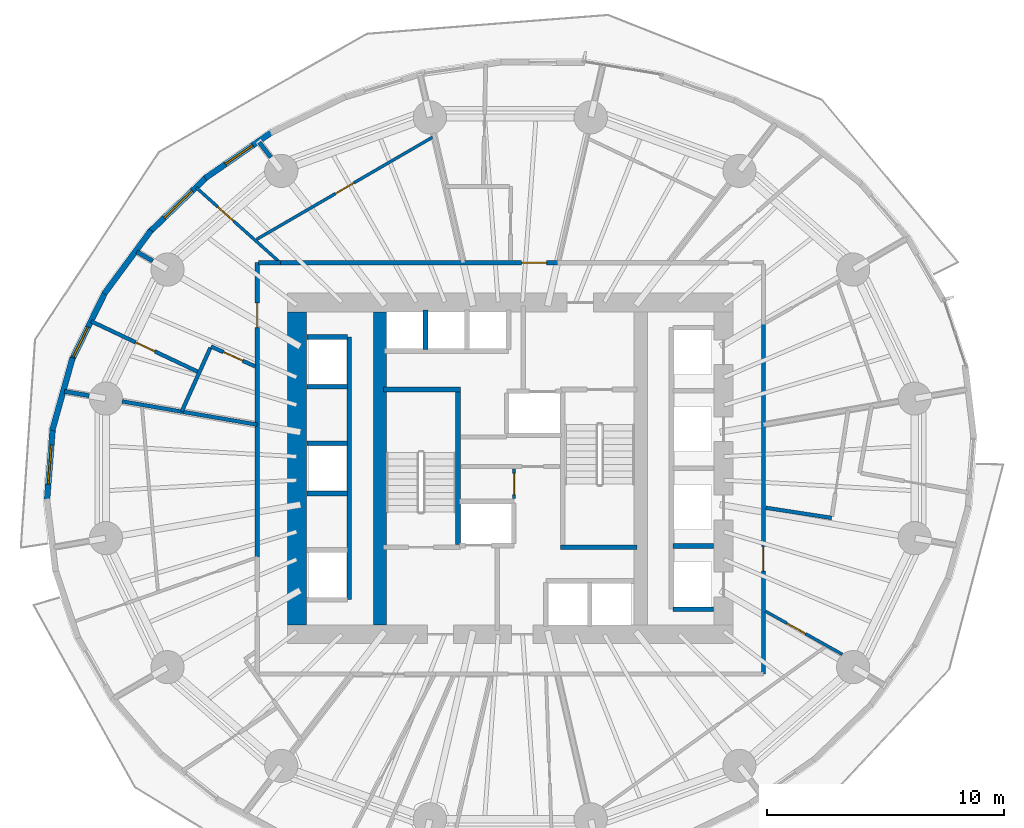
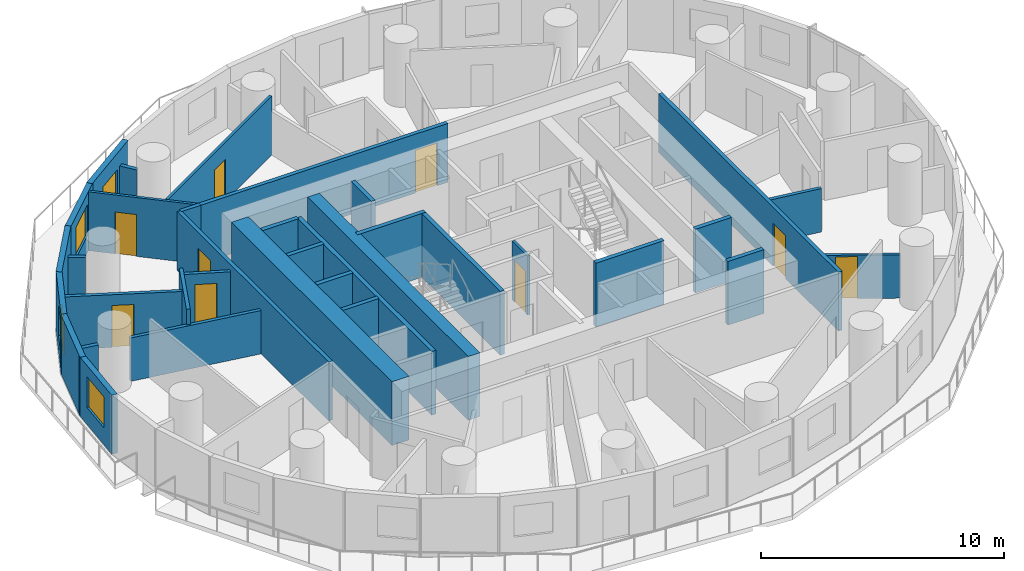
# One storey, part 6 of 13: 35 walls, 9 doors, 4 windows, 13 openings.
"""IFC4 building model written with IfcOpenShell, lengths in metres."""

from ifc_helpers import new_model, si_unit, direction, frame, frame_2d, origin, place, context, subcontext, project, spatial, rectangle, extrude, material, layer, layer_set, type_object, element, fill, save


model = new_model("IFC4")

# Units and contexts
model_context = context("Model", 3, precision=1e-05, world=origin(), true_north=direction((0.0, 1.0)))
body_context = subcontext(model_context, "Body", "Model", "MODEL_VIEW")
ifc_project = project(units=[si_unit("LENGTHUNIT", "METRE"), si_unit("AREAUNIT", "SQUARE_METRE"), si_unit("VOLUMEUNIT", "CUBIC_METRE"), si_unit("PLANEANGLEUNIT", "RADIAN"), si_unit("MASSUNIT", "GRAM", prefix="KILO")], contexts=[model_context])

# Site, building, storey
site_placement = place(None, origin())
site = spatial("IfcSite", under=ifc_project, at=site_placement, CompositionType="ELEMENT")
building_placement = place(site_placement, origin())
building = spatial("IfcBuilding", under=site, at=building_placement, Name="Veldorim Arch Residences", CompositionType="ELEMENT")
storey_placement = place(building_placement, frame((0.0, 0.0, 56.800048828125)))
storey = spatial("IfcBuildingStorey", under=building, at=storey_placement, Name="L16", CompositionType="ELEMENT", Elevation=56.800048828125)

# Wall, opening, door
ifc_material_1 = material(Name="Acoustic Gypsum Board", Category="gypsum")
ifc_layer_1 = layer(ifc_material_1, 0.125, Name="Acoustic Stud Room Partition Wall 125")
ifc_layer_set_1 = layer_set([ifc_layer_1], Name="Acoustic Gypsum Board")
wall_type_1 = type_object("IfcWallType", Name="Acoustic Stud Room Partition Wall 125", PredefinedType="PARTITIONING", material=ifc_layer_set_1)
wall_1_placement = place(storey_placement, frame((32.159912109375, 22.719970703125, 0.0), z_axis=(0.0, 0.0, 1.0), x_axis=(0.0, 1.0, 0.0)))
wall_1 = element("IfcWall", 1, at=wall_1_placement, inside=storey, type_object=wall_type_1, Name="L16 interior wall WL-CA-L16-2", PredefinedType="PARTITIONING", context=body_context, shape_type="SweptSolid", body=[
    extrude(rectangle(XDim=1.25, YDim=0.125, at=frame_2d((0.625, 0.0))), origin(), (0.0, 0.0, 1.0), 2.954833984375),
])
opening_1_placement = place(wall_1_placement, frame((0.169921875, 0.0, 0.0)))
opening_1 = element("IfcOpeningElement", 2, at=opening_1_placement, cuts=wall_1, Name="Opening DR-SVC", PredefinedType="OPENING", context=body_context, shape_type="SweptSolid", body=[
    extrude(rectangle(XDim=0.89990234375, YDim=2.10009765625, at=frame_2d((0.449951171875, 1.050048828125))), frame((0.0, 0.072509765625, 0.0), z_axis=(0.0, -1.0, 0.0), x_axis=(1.0, 0.0, 0.0)), (0.0, 0.0, 1.0), 0.14501953125),
])
ifc_material_2 = material(Name="Fire-Rated Steel", Category="steel")
door_type_1 = type_object("IfcDoorType", Name="Riser, Shelter & Plant Room Rated Steel Door 900x2100", OperationType="SINGLE_SWING_LEFT", PredefinedType="DOOR", material=ifc_material_2)
door_1_placement = place(opening_1_placement, origin())
door_1 = element("IfcDoor", 3, at=door_1_placement, inside=storey, type_object=door_type_1, Name="L16 interior door DR-L16-CA2", OperationType="SINGLE_SWING_RIGHT", OverallHeight=2.10009765625, OverallWidth=0.89990234375, PredefinedType="DOOR", context=body_context, shape_type="SweptSolid", body=[
    extrude(rectangle(XDim=0.89990234375, YDim=2.10009765625, at=frame_2d((0.449951171875, 1.050048828125))), frame((0.0, 0.02490234375, 0.0), z_axis=(0.0, -1.0, 0.0), x_axis=(1.0, 0.0, 0.0)), (0.0, 0.0, 1.0), 0.050048828125),
])
fill(opening_1, door_1)

wall_2_placement = place(storey_placement, frame((46.011474609375, 16.152099609375, 0.0), z_axis=(0.0, 0.0, 1.0), x_axis=(-0.872501537555, 0.488611365978, 0.0)))
wall_2 = element("IfcWall", 4, at=wall_2_placement, inside=storey, type_object=wall_type_1, Name="L16 interior wall WL-RES-L16-018", PredefinedType="PARTITIONING", context=body_context, shape_type="SweptSolid", body=[
    extrude(rectangle(XDim=3.718505859375, YDim=0.125, at=frame_2d((1.859375, 0.0))), origin(), (0.0, 0.0, 1.0), 2.17822265625),
])
opening_2_placement = place(wall_2_placement, frame((1.773193359375, 0.0, 0.0)))
opening_2 = element("IfcOpeningElement", 5, at=opening_2_placement, cuts=wall_2, Name="Opening DR-INT", PredefinedType="OPENING", context=body_context, shape_type="SweptSolid", body=[
    extrude(rectangle(XDim=0.89990234375, YDim=2.10009765625, at=frame_2d((0.449951171875, 1.050048828125))), frame((0.0, 0.072509765625, 0.0), z_axis=(0.0, -1.0, 0.0), x_axis=(1.0, 0.0, 0.0)), (0.0, 0.0, 1.0), 0.14501953125),
])
ifc_material_3 = material(Name="Engineered Timber", Category="wood")
door_type_2 = type_object("IfcDoorType", Name="Apartment Internal Room Timber Door 900x2100", OperationType="SINGLE_SWING_LEFT", PredefinedType="DOOR", material=ifc_material_3)
door_2_placement = place(opening_2_placement, origin())
door_2 = element("IfcDoor", 6, at=door_2_placement, inside=storey, type_object=door_type_2, Name="L16 interior door DR-RES-L16-008", OperationType="SINGLE_SWING_RIGHT", OverallHeight=2.10009765625, OverallWidth=0.89990234375, PredefinedType="DOOR", context=body_context, shape_type="SweptSolid", body=[
    extrude(rectangle(XDim=0.89990234375, YDim=2.10009765625, at=frame_2d((0.449951171875, 1.050048828125))), frame((0.0, 0.02490234375, 0.0), z_axis=(0.0, -1.0, 0.0), x_axis=(1.0, 0.0, 0.0)), (0.0, 0.0, 1.0), 0.050048828125),
])
fill(opening_2, door_2)

wall_3_placement = place(storey_placement, frame((18.743408203125, 35.85009765625, 0.0), z_axis=(0.0, 0.0, 1.0), x_axis=(0.745545947878, -0.666454229188, 0.0)))
wall_3 = element("IfcWall", 7, at=wall_3_placement, inside=storey, type_object=wall_type_1, Name="L16 interior wall WL-RES-L16-034", PredefinedType="PARTITIONING", context=body_context, shape_type="SweptSolid", body=[
    extrude(rectangle(XDim=4.7568359375, YDim=0.125, at=frame_2d((2.37841796875, 0.0))), origin(), (0.0, 0.0, 1.0), 2.954833984375),
])
opening_3_placement = place(wall_3_placement, frame((1.22802734375, 0.0, 0.0)))
opening_3 = element("IfcOpeningElement", 8, at=opening_3_placement, cuts=wall_3, Name="Opening DR-INT", PredefinedType="OPENING", context=body_context, shape_type="SweptSolid", body=[
    extrude(rectangle(XDim=0.89990234375, YDim=2.10009765625, at=frame_2d((0.449951171875, 1.050048828125))), frame((0.0, 0.072509765625, 0.0), z_axis=(0.0, -1.0, 0.0), x_axis=(1.0, 0.0, 0.0)), (0.0, 0.0, 1.0), 0.14501953125),
])
door_3_placement = place(opening_3_placement, origin())
door_3 = element("IfcDoor", 9, at=door_3_placement, inside=storey, type_object=door_type_2, Name="L16 interior door DR-RES-L16-022", OperationType="SINGLE_SWING_RIGHT", OverallHeight=2.10009765625, OverallWidth=0.89990234375, PredefinedType="DOOR", context=body_context, shape_type="SweptSolid", body=[
    extrude(rectangle(XDim=0.89990234375, YDim=2.10009765625, at=frame_2d((0.449951171875, 1.050048828125))), frame((0.0, 0.02490234375, 0.0), z_axis=(0.0, -1.0, 0.0), x_axis=(1.0, 0.0, 0.0)), (0.0, 0.0, 1.0), 0.050048828125),
])
fill(opening_3, door_3)

wall_4_placement = place(storey_placement, frame((28.71826171875, 37.975341796875, 0.0), z_axis=(0.0, 0.0, 1.0), x_axis=(-0.864791736972, -0.502130711733, 0.0)))
wall_4 = element("IfcWall", 10, at=wall_4_placement, inside=storey, type_object=wall_type_1, Name="L16 interior wall WL-RES-L16-038", PredefinedType="PARTITIONING", context=body_context, shape_type="SweptSolid", body=[
    extrude(rectangle(XDim=8.5791015625, YDim=0.125, at=frame_2d((4.28955078125, 0.0))), origin(), (0.0, 0.0, 1.0), 2.954833984375),
])
opening_4_placement = place(wall_4_placement, frame((3.839599609375, 0.0, 0.0)))
opening_4 = element("IfcOpeningElement", 11, at=opening_4_placement, cuts=wall_4, Name="Opening DR-INT", PredefinedType="OPENING", context=body_context, shape_type="SweptSolid", body=[
    extrude(rectangle(XDim=0.89990234375, YDim=2.10009765625, at=frame_2d((0.449951171875, 1.050048828125))), frame((0.0, 0.072509765625, 0.0), z_axis=(0.0, -1.0, 0.0), x_axis=(1.0, 0.0, 0.0)), (0.0, 0.0, 1.0), 0.14501953125),
])
door_4_placement = place(opening_4_placement, origin())
door_4 = element("IfcDoor", 12, at=door_4_placement, inside=storey, type_object=door_type_2, Name="L16 interior door DR-RES-L16-023", OperationType="SINGLE_SWING_LEFT", OverallHeight=2.10009765625, OverallWidth=0.89990234375, PredefinedType="DOOR", context=body_context, shape_type="SweptSolid", body=[
    extrude(rectangle(XDim=0.89990234375, YDim=2.10009765625, at=frame_2d((0.449951171875, 1.050048828125))), frame((0.0, 0.02490234375, 0.0), z_axis=(0.0, -1.0, 0.0), x_axis=(1.0, 0.0, 0.0)), (0.0, 0.0, 1.0), 0.050048828125),
])
fill(opening_4, door_4)

# Walls
ifc_material_4 = material(Name="Lightweight Masonry Block & Gypsum", Category="masonry")
ifc_layer_2 = layer(ifc_material_4, 0.179931640625, Name="Compartment & Corridor Fire-Rated Party Wall 180")
ifc_layer_set_2 = layer_set([ifc_layer_2], Name="Lightweight Masonry Block & Gypsum")
wall_type_2 = type_object("IfcWallType", Name="Compartment & Corridor Fire-Rated Party Wall 180", PredefinedType="PARTITIONING", material=ifc_layer_set_2)
wall_5_placement = place(storey_placement, frame((21.893798828125, 37.125732421875, 0.0), z_axis=(0.0, 0.0, 1.0), x_axis=(-0.609961416057, 0.792431114307, 0.0)))
element("IfcWall", 13, at=wall_5_placement, inside=storey, type_object=wall_type_2, Name="L16 interior wall WL-PIER-L16-06", PredefinedType="PARTITIONING", context=body_context, shape_type="SweptSolid", body=[
    extrude(rectangle(XDim=0.800048828125, YDim=0.179931640625, at=frame_2d((0.39990234375, 0.0))), origin(), (0.0, 0.0, 1.0), 2.17822265625),
])
wall_6_placement = place(storey_placement, frame((16.909423828125, 32.750244140625, 0.0), z_axis=(0.0, 0.0, 1.0), x_axis=(-0.86504748832, 0.501689986895, 0.0)))
element("IfcWall", 14, at=wall_6_placement, inside=storey, type_object=wall_type_2, Name="L16 interior wall WL-PIER-L16-07", PredefinedType="PARTITIONING", context=body_context, shape_type="SweptSolid", body=[
    extrude(rectangle(XDim=0.780029296875, YDim=0.179931640625, at=frame_2d((0.39013671875, 0.0))), origin(), (0.0, 0.0, 1.0), 2.17822265625),
])
wall_7_placement = place(storey_placement, frame((14.224853515625, 27.068359375, 0.0), z_axis=(0.0, 0.0, 1.0), x_axis=(-0.985428074572, 0.17009265077, 0.0)))
element("IfcWall", 15, at=wall_7_placement, inside=storey, type_object=wall_type_2, Name="L16 interior wall WL-PIER-L16-08", PredefinedType="PARTITIONING", context=body_context, shape_type="SweptSolid", body=[
    extrude(rectangle(XDim=1.056396484375, YDim=0.179931640625, at=frame_2d((0.5283203125, 0.0))), origin(), (0.0, 0.0, 1.0), 2.17822265625),
])

# Wall, opening, door
wall_8_placement = place(storey_placement, frame((42.679931640625, 30.109130859375, 0.0), z_axis=(0.0, 0.0, 1.0), x_axis=(0.0, -1.0, 0.0)))
wall_8 = element("IfcWall", 16, at=wall_8_placement, inside=storey, type_object=wall_type_2, Name="L16 interior wall WL-RES-L16-003", PredefinedType="PARTITIONING", context=body_context, shape_type="SweptSolid", body=[
    extrude(rectangle(XDim=14.7890625, YDim=0.179931640625, at=frame_2d((7.39453125, 0.0))), origin(), (0.0, 0.0, 1.0), 2.954833984375),
])
opening_5_placement = place(wall_8_placement, frame((9.400390625, 0.0, 0.0)))
opening_5 = element("IfcOpeningElement", 17, at=opening_5_placement, cuts=wall_8, Name="Opening DR-FLT", PredefinedType="OPENING", context=body_context, shape_type="SweptSolid", body=[
    extrude(rectangle(XDim=1.050048828125, YDim=2.14990234375, at=frame_2d((0.52490234375, 1.074951171875))), frame((0.0, 0.099853515625, 0.0), z_axis=(0.0, -1.0, 0.0), x_axis=(1.0, 0.0, 0.0)), (0.0, 0.0, 1.0), 0.199951171875),
])
ifc_material_5 = material(Name="Fire-Rated Timber", Category="wood")
door_type_3 = type_object("IfcDoorType", Name="Apartment Entrance Solid-Core Fire Door 1050x2150", OperationType="SINGLE_SWING_LEFT", PredefinedType="DOOR", material=ifc_material_5)
door_5_placement = place(opening_5_placement, origin())
door_5 = element("IfcDoor", 18, at=door_5_placement, inside=storey, type_object=door_type_3, Name="L16 interior door DR-RES-L16-006", OperationType="SINGLE_SWING_RIGHT", OverallHeight=2.14990234375, OverallWidth=1.050048828125, PredefinedType="DOOR", context=body_context, shape_type="SweptSolid", body=[
    extrude(rectangle(XDim=1.050048828125, YDim=2.14990234375, at=frame_2d((0.52490234375, 1.074951171875))), frame((0.0, 0.02490234375, 0.0), z_axis=(0.0, -1.0, 0.0), x_axis=(1.0, 0.0, 0.0)), (0.0, 0.0, 1.0), 0.050048828125),
])
fill(opening_5, door_5)

wall_9_placement = place(storey_placement, frame((22.259765625, 32.679931640625, 0.0), z_axis=(0.0, 0.0, 1.0), x_axis=(1.0, 0.0, 0.0)))
wall_9 = element("IfcWall", 19, at=wall_9_placement, inside=storey, type_object=wall_type_2, Name="L16 interior wall WL-RES-L16-006", PredefinedType="PARTITIONING", context=body_context, shape_type="SweptSolid", body=[
    extrude(rectangle(XDim=11.76904296875, YDim=0.179931640625, at=frame_2d((5.884521484375, 0.0))), origin(), (0.0, 0.0, 1.0), 2.954833984375),
])
opening_6_placement = place(wall_9_placement, frame((10.222412109375, 0.0, 0.0)))
opening_6 = element("IfcOpeningElement", 20, at=opening_6_placement, cuts=wall_9, Name="Opening DR-FLT", PredefinedType="OPENING", context=body_context, shape_type="SweptSolid", body=[
    extrude(rectangle(XDim=1.050048828125, YDim=2.14990234375, at=frame_2d((0.52490234375, 1.074951171875))), frame((0.0, 0.099853515625, 0.0), z_axis=(0.0, -1.0, 0.0), x_axis=(1.0, 0.0, 0.0)), (0.0, 0.0, 1.0), 0.199951171875),
])
door_6_placement = place(opening_6_placement, origin())
door_6 = element("IfcDoor", 21, at=door_6_placement, inside=storey, type_object=door_type_3, Name="L16 interior door DR-RES-L16-015", OperationType="SINGLE_SWING_LEFT", OverallHeight=2.14990234375, OverallWidth=1.050048828125, PredefinedType="DOOR", context=body_context, shape_type="SweptSolid", body=[
    extrude(rectangle(XDim=1.050048828125, YDim=2.14990234375, at=frame_2d((0.52490234375, 1.074951171875))), frame((0.0, 0.02490234375, 0.0), z_axis=(0.0, -1.0, 0.0), x_axis=(1.0, 0.0, 0.0)), (0.0, 0.0, 1.0), 0.050048828125),
])
fill(opening_6, door_6)

wall_10_placement = place(storey_placement, frame((21.320068359375, 20.226318359375, 0.0), z_axis=(0.0, 0.0, 1.0), x_axis=(0.0, 1.0, 0.0)))
wall_10 = element("IfcWall", 22, at=wall_10_placement, inside=storey, type_object=wall_type_2, Name="L16 interior wall WL-RES-L16-007", PredefinedType="PARTITIONING", context=body_context, shape_type="SweptSolid", body=[
    extrude(rectangle(XDim=12.45361328125, YDim=0.179931640625, at=frame_2d((6.226806640625, 0.0))), origin(), (0.0, 0.0, 1.0), 2.954833984375),
])
opening_7_placement = place(wall_10_placement, frame((9.71142578125, 0.0, 0.0)))
opening_7 = element("IfcOpeningElement", 23, at=opening_7_placement, cuts=wall_10, Name="Opening DR-FLT", PredefinedType="OPENING", context=body_context, shape_type="SweptSolid", body=[
    extrude(rectangle(XDim=1.050048828125, YDim=2.14990234375, at=frame_2d((0.52490234375, 1.074951171875))), frame((0.0, 0.099853515625, 0.0), z_axis=(0.0, -1.0, 0.0), x_axis=(1.0, 0.0, 0.0)), (0.0, 0.0, 1.0), 0.199951171875),
])
door_7_placement = place(opening_7_placement, origin())
door_7 = element("IfcDoor", 24, at=door_7_placement, inside=storey, type_object=door_type_3, Name="L16 interior door DR-RES-L16-020", OperationType="SINGLE_SWING_RIGHT", OverallHeight=2.14990234375, OverallWidth=1.050048828125, PredefinedType="DOOR", context=body_context, shape_type="SweptSolid", body=[
    extrude(rectangle(XDim=1.050048828125, YDim=2.14990234375, at=frame_2d((0.52490234375, 1.074951171875))), frame((0.0, 0.02490234375, 0.0), z_axis=(0.0, -1.0, 0.0), x_axis=(1.0, 0.0, 0.0)), (0.0, 0.0, 1.0), 0.050048828125),
])
fill(opening_7, door_7)

# Walls
wall_11_placement = place(storey_placement, frame((21.3798828125, 32.679931640625, 0.0), z_axis=(0.0, 0.0, 1.0), x_axis=(1.0, 0.0, 0.0)))
element("IfcWall", 25, at=wall_11_placement, inside=storey, type_object=wall_type_2, Name="L16 interior wall WL-RES-L16-008", PredefinedType="PARTITIONING", context=body_context, shape_type="SweptSolid", body=[
    extrude(rectangle(XDim=0.929931640625, YDim=0.179931640625, at=frame_2d((0.46484375, 0.0))), origin(), (0.0, 0.0, 1.0), 2.954833984375),
])
ifc_material_6 = material(Name="Concrete C50/60", Category="concrete")
ifc_layer_3 = layer(ifc_material_6, 0.199951171875, Name="Core Stair & Lift Shaft Enclosure Wall 200")
ifc_layer_set_3 = layer_set([ifc_layer_3], Name="Concrete C50/60")
wall_type_3 = type_object("IfcWallType", Name="Core Stair & Lift Shaft Enclosure Wall 200", PredefinedType="SHEAR", material=ifc_layer_set_3)
wall_12_placement = place(storey_placement, frame((29.7900390625, 20.780029296875, 0.0), z_axis=(0.0, 0.0, 1.0), x_axis=(0.0, 1.0, 0.0)))
element("IfcWall", 26, at=wall_12_placement, inside=storey, type_object=wall_type_3, Name="L16 shaft wall WL-SHF-L16-ST1-E", PredefinedType="SHEAR", context=body_context, shape_type="SweptSolid", body=[
    extrude(rectangle(XDim=6.43994140625, YDim=0.199951171875, at=frame_2d((3.219970703125, 0.0))), origin(), (0.0, 0.0, 1.0), 3.199951171875),
])
for number, where, z_axis, x_axis, name in (
    (27, (26.64990234375, 27.330078125, 0.0), (0.0, 0.0, 1.0), (1.0, 0.0, 0.0), "L16 shaft wall WL-SHF-L16-ST1-N"),
    (28, (34.110107421875, 20.669921875, 0.0), (0.0, 0.0, 1.0), (1.0, 0.0, 0.0), "L16 shaft wall WL-SHF-L16-ST2-S"),
):
    element("IfcWall", number, at=place(storey_placement, frame(where, z_axis=z_axis, x_axis=x_axis)), inside=storey, type_object=wall_type_3, Name=name, PredefinedType="SHEAR", context=body_context, shape_type="SweptSolid", body=[
        extrude(rectangle(XDim=3.239990234375, YDim=0.199951171875, at=frame_2d((1.6201171875, 0.0))), origin(), (0.0, 0.0, 1.0), 3.199951171875),
    ])
for number, where, z_axis, x_axis, name in (
    (29, (38.8701171875, 18.06005859375, 0.0), (0.0, 0.0, 1.0), (1.0, 0.0, 0.0), "L16 shaft wall WL-B1-L16-S"),
    (30, (38.8701171875, 20.72509765625, 0.0), (0.0, 0.0, 1.0), (1.0, 0.0, 0.0), "L16 shaft wall WL-B1-L16-D1"),
):
    element("IfcWall", number, at=place(storey_placement, frame(where, z_axis=z_axis, x_axis=x_axis)), inside=storey, type_object=wall_type_3, Name=name, PredefinedType="SHEAR", context=body_context, shape_type="SweptSolid", body=[
        extrude(rectangle(XDim=1.7099609375, YDim=0.199951171875, at=frame_2d((0.85498046875, 0.0))), origin(), (0.0, 0.0, 1.0), 3.199951171875),
    ])
wall_13_placement = place(storey_placement, frame((25.199951171875, 18.4599609375, 0.0), z_axis=(0.0, 0.0, 1.0), x_axis=(0.0, 1.0, 0.0)))
element("IfcWall", 31, at=wall_13_placement, inside=storey, type_object=wall_type_3, Name="L16 shaft wall WL-B2-L16-E", PredefinedType="SHEAR", context=body_context, shape_type="SweptSolid", body=[
    extrude(rectangle(XDim=11.080078125, YDim=0.199951171875, at=frame_2d((5.5400390625, 0.0))), origin(), (0.0, 0.0, 1.0), 3.199951171875),
])
for number, where, z_axis, x_axis, name in (
    (32, (23.419921875, 29.5400390625, 0.0), (0.0, 0.0, 1.0), (1.0, 0.0, 0.0), "L16 shaft wall WL-B2-L16-N"),
    (33, (23.419921875, 22.93994140625, 0.0), (0.0, 0.0, 1.0), (1.0, 0.0, 0.0), "L16 shaft wall WL-B2-L16-D1B"),
    (34, (23.419921875, 25.06005859375, 0.0), (0.0, 0.0, 1.0), (1.0, 0.0, 0.0), "L16 shaft wall WL-B2-L16-D2A"),
    (35, (23.419921875, 27.43994140625, 0.0), (0.0, 0.0, 1.0), (1.0, 0.0, 0.0), "L16 shaft wall WL-B2-L16-D2B"),
):
    element("IfcWall", number, at=place(storey_placement, frame(where, z_axis=z_axis, x_axis=x_axis)), inside=storey, type_object=wall_type_3, Name=name, PredefinedType="SHEAR", context=body_context, shape_type="SweptSolid", body=[
        extrude(rectangle(XDim=1.7099609375, YDim=0.199951171875, at=frame_2d((0.85498046875, 0.0))), origin(), (0.0, 0.0, 1.0), 3.199951171875),
    ])
wall_14_placement = place(storey_placement, frame((28.425048828125, 29.02001953125, 0.0), z_axis=(0.0, 0.0, 1.0), x_axis=(0.0, 1.0, 0.0)))
element("IfcWall", 36, at=wall_14_placement, inside=storey, type_object=wall_type_3, Name="L16 shaft wall WL-B3-L16-D1", PredefinedType="SHEAR", context=body_context, shape_type="SweptSolid", body=[
    extrude(rectangle(XDim=1.659912109375, YDim=0.199951171875, at=frame_2d((0.830078125, 0.0))), origin(), (0.0, 0.0, 1.0), 3.199951171875),
])
ifc_material_7 = material(Name="Concrete C60/75", Category="concrete")
ifc_layer_4 = layer(ifc_material_7, 0.56005859375, Name="Internal Core Shear Web Wall 560")
ifc_layer_set_4 = layer_set([ifc_layer_4], Name="Concrete C60/75")
wall_type_4 = type_object("IfcWallType", Name="Internal Core Shear Web Wall 560", PredefinedType="SHEAR", material=ifc_layer_set_4)
wall_15_placement = place(storey_placement, frame((26.5, 17.39990234375, 0.0), z_axis=(0.0, 0.0, 1.0), x_axis=(0.0, 1.0, 0.0)))
element("IfcWall", 37, at=wall_15_placement, inside=storey, type_object=wall_type_4, Name="L16 core west internal shear web", PredefinedType="SHEAR", context=body_context, shape_type="SweptSolid", body=[
    extrude(rectangle(XDim=13.2001953125, YDim=0.56005859375, at=frame_2d((6.60009765625, 0.0))), origin(), (0.0, 0.0, 1.0), 3.199951171875),
])
ifc_material_8 = material(Name="Concrete C60/75", Category="concrete")
ifc_layer_5 = layer(ifc_material_8, 0.800048828125, Name="Lower Central Core Shear Wall 800")
ifc_layer_set_5 = layer_set([ifc_layer_5], Name="Concrete C60/75")
wall_type_5 = type_object("IfcWallType", Name="Lower Central Core Shear Wall 800", PredefinedType="SHEAR", material=ifc_layer_set_5)
wall_16_placement = place(storey_placement, frame((23.0, 17.39990234375, 0.0), z_axis=(0.0, 0.0, 1.0), x_axis=(0.0, 1.0, 0.0)))
element("IfcWall", 38, at=wall_16_placement, inside=storey, type_object=wall_type_5, Name="L16 central core west shear wall", PredefinedType="SHEAR", context=body_context, shape_type="SweptSolid", body=[
    extrude(rectangle(XDim=13.2001953125, YDim=0.800048828125, at=frame_2d((6.60009765625, 0.0))), origin(), (0.0, 0.0, 1.0), 3.199951171875),
])

# Wall, opening, window
ifc_material_9 = material(Name="Precast concrete C40/50", Category="concrete")
ifc_layer_6 = layer(ifc_material_9, 0.25, Name="Tower Terracotta Spandrel & Pier Wall 250")
ifc_layer_set_6 = layer_set([ifc_layer_6], Name="Precast concrete C40/50")
wall_type_6 = type_object("IfcWallType", Name="Tower Terracotta Spandrel & Pier Wall 250", PredefinedType="SOLIDWALL", material=ifc_layer_set_6)
wall_17_placement = place(storey_placement, frame((19.123046875, 36.248779296875, 0.0), z_axis=(0.0, 0.0, 1.0), x_axis=(0.822610496702, 0.568605285515, 0.0)))
wall_17 = element("IfcWall", 39, at=wall_17_placement, inside=storey, type_object=wall_type_6, Name="L16 terracotta facade wall 12", PredefinedType="SOLIDWALL", context=body_context, shape_type="SweptSolid", body=[
    extrude(rectangle(XDim=3.465087890625, YDim=0.25, at=frame_2d((1.732421875, 0.0))), origin(), (0.0, 0.0, 1.0), 2.9599609375),
])
opening_8_placement = place(wall_17_placement, frame((1.031982421875, 0.0, 0.85009765625)))
opening_8 = element("IfcOpeningElement", 40, at=opening_8_placement, cuts=wall_17, Name="Opening WN-02", PredefinedType="OPENING", context=body_context, shape_type="SweptSolid", body=[
    extrude(rectangle(XDim=1.39990234375, YDim=1.2900390625, at=frame_2d((0.699951171875, 0.64501953125))), frame((0.0, 0.135009765625, 0.0), z_axis=(0.0, -1.0, 0.0), x_axis=(1.0, 0.0, 0.0)), (0.0, 0.0, 1.0), 0.27001953125),
])
ifc_material_10 = material(Name="Laminated Low-E Glass", Category="glass")
window_type_1 = type_object("IfcWindowType", Name="Residential Casement Window 1400x1550", PartitioningType="SINGLE_PANEL", PredefinedType="WINDOW", material=ifc_material_10)
window_1_placement = place(opening_8_placement, origin())
window_1 = element("IfcWindow", 41, at=window_1_placement, inside=storey, type_object=window_type_1, Name="L16 solar-control facade window 12", OverallHeight=1.2900390625, OverallWidth=1.39990234375, PartitioningType="SINGLE_PANEL", PredefinedType="WINDOW", context=body_context, shape_type="SweptSolid", body=[
    extrude(rectangle(XDim=1.39990234375, YDim=1.2900390625, at=frame_2d((0.699951171875, 0.64501953125))), frame((0.0, 0.030029296875, 0.0), z_axis=(0.0, -1.0, 0.0), x_axis=(1.0, 0.0, 0.0)), (0.0, 0.0, 1.0), 0.06005859375),
])
fill(opening_8, window_1)

wall_18_placement = place(storey_placement, frame((16.759521484375, 33.9609375, 0.0), z_axis=(0.0, 0.0, 1.0), x_axis=(0.720340150583, 0.693620982568, 0.0)))
wall_18 = element("IfcWall", 42, at=wall_18_placement, inside=storey, type_object=wall_type_6, Name="L16 terracotta facade wall 13", PredefinedType="SOLIDWALL", context=body_context, shape_type="SweptSolid", body=[
    extrude(rectangle(XDim=3.399169921875, YDim=0.25, at=frame_2d((1.69970703125, 0.0))), origin(), (0.0, 0.0, 1.0), 2.9599609375),
])
opening_9_placement = place(wall_18_placement, frame((0.875, 0.0, 0.85009765625)))
opening_9 = element("IfcOpeningElement", 43, at=opening_9_placement, cuts=wall_18, Name="Opening WN-03", PredefinedType="OPENING", context=body_context, shape_type="SweptSolid", body=[
    extrude(rectangle(XDim=1.64990234375, YDim=1.550048828125, at=frame_2d((0.824951171875, 0.77490234375))), frame((0.0, 0.135009765625, 0.0), z_axis=(0.0, -1.0, 0.0), x_axis=(1.0, 0.0, 0.0)), (0.0, 0.0, 1.0), 0.27001953125),
])
ifc_material_11 = material(Name="Laminated Low-E Glass", Category="glass")
window_type_2 = type_object("IfcWindowType", Name="Residential Wide Window 1650x1550", PartitioningType="SINGLE_PANEL", PredefinedType="WINDOW", material=ifc_material_11)
window_2_placement = place(opening_9_placement, origin())
window_2 = element("IfcWindow", 44, at=window_2_placement, inside=storey, type_object=window_type_2, Name="L16 solar-control facade window 13", OverallHeight=1.550048828125, OverallWidth=1.64990234375, PartitioningType="SINGLE_PANEL", PredefinedType="WINDOW", context=body_context, shape_type="SweptSolid", body=[
    extrude(rectangle(XDim=1.64990234375, YDim=1.550048828125, at=frame_2d((0.824951171875, 0.77490234375))), frame((0.0, 0.030029296875, 0.0), z_axis=(0.0, -1.0, 0.0), x_axis=(1.0, 0.0, 0.0)), (0.0, 0.0, 1.0), 0.06005859375),
])
fill(opening_9, window_2)

# Wall
wall_19_placement = place(storey_placement, frame((14.859619140625, 31.37060546875, 0.0), z_axis=(0.0, 0.0, 1.0), x_axis=(0.593762827217, 0.804640109003, 0.0)))
element("IfcWall", 45, at=wall_19_placement, inside=storey, type_object=wall_type_6, Name="L16 terracotta facade wall 14", PredefinedType="SOLIDWALL", context=body_context, shape_type="SweptSolid", body=[
    extrude(rectangle(XDim=3.32275390625, YDim=0.25, at=frame_2d((1.661376953125, 0.0))), origin(), (0.0, 0.0, 1.0), 2.9599609375),
])

# Wall, opening, window
wall_20_placement = place(storey_placement, frame((13.481689453125, 28.556640625, 0.0), z_axis=(0.0, 0.0, 1.0), x_axis=(0.44260255462, 0.896717892452, 0.0)))
wall_20 = element("IfcWall", 46, at=wall_20_placement, inside=storey, type_object=wall_type_6, Name="L16 terracotta facade wall 15", PredefinedType="SOLIDWALL", context=body_context, shape_type="SweptSolid", body=[
    extrude(rectangle(XDim=3.24462890625, YDim=0.25, at=frame_2d((1.622314453125, 0.0))), origin(), (0.0, 0.0, 1.0), 2.9599609375),
])
opening_10_placement = place(wall_20_placement, frame((0.175048828125, 0.0, 0.85009765625)))
opening_10 = element("IfcOpeningElement", 47, at=opening_10_placement, cuts=wall_20, Name="Opening WN-02", PredefinedType="OPENING", context=body_context, shape_type="SweptSolid", body=[
    extrude(rectangle(XDim=1.39990234375, YDim=1.550048828125, at=frame_2d((0.699951171875, 0.77490234375))), frame((0.0, 0.135009765625, 0.0), z_axis=(0.0, -1.0, 0.0), x_axis=(1.0, 0.0, 0.0)), (0.0, 0.0, 1.0), 0.27001953125),
])
window_3_placement = place(opening_10_placement, origin())
window_3 = element("IfcWindow", 48, at=window_3_placement, inside=storey, type_object=window_type_1, Name="L16 solar-control facade window 15", OverallHeight=1.550048828125, OverallWidth=1.39990234375, PartitioningType="SINGLE_PANEL", PredefinedType="WINDOW", context=body_context, shape_type="SweptSolid", body=[
    extrude(rectangle(XDim=1.39990234375, YDim=1.550048828125, at=frame_2d((0.699951171875, 0.77490234375))), frame((0.0, 0.030029296875, 0.0), z_axis=(0.0, -1.0, 0.0), x_axis=(1.0, 0.0, 0.0)), (0.0, 0.0, 1.0), 0.06005859375),
])
fill(opening_10, window_3)

# Wall
wall_21_placement = place(storey_placement, frame((12.667236328125, 25.605224609375, 0.0), z_axis=(0.0, 0.0, 1.0), x_axis=(0.269353183383, 0.963041464632, 0.0)))
element("IfcWall", 49, at=wall_21_placement, inside=storey, type_object=wall_type_6, Name="L16 terracotta facade wall 16", PredefinedType="SOLIDWALL", context=body_context, shape_type="SweptSolid", body=[
    extrude(rectangle(XDim=3.17431640625, YDim=0.25, at=frame_2d((1.587158203125, 0.0))), origin(), (0.0, 0.0, 1.0), 2.9599609375),
])

# Wall, opening, window
wall_22_placement = place(storey_placement, frame((12.43994140625, 22.6064453125, 0.0), z_axis=(0.0, 0.0, 1.0), x_axis=(0.079173066737, 0.996860885733, 0.0)))
wall_22 = element("IfcWall", 50, at=wall_22_placement, inside=storey, type_object=wall_type_6, Name="L16 terracotta facade wall 17", PredefinedType="SOLIDWALL", context=body_context, shape_type="SweptSolid", body=[
    extrude(rectangle(XDim=3.12060546875, YDim=0.25, at=frame_2d((1.560302734375, 0.0))), origin(), (0.0, 0.0, 1.0), 2.9599609375),
])
opening_11_placement = place(wall_22_placement, frame((0.735107421875, 0.0, 0.85009765625)))
opening_11 = element("IfcOpeningElement", 51, at=opening_11_placement, cuts=wall_22, Name="Opening WN-03", PredefinedType="OPENING", context=body_context, shape_type="SweptSolid", body=[
    extrude(rectangle(XDim=1.64990234375, YDim=1.550048828125, at=frame_2d((0.824951171875, 0.77490234375))), frame((0.0, 0.135009765625, 0.0), z_axis=(0.0, -1.0, 0.0), x_axis=(1.0, 0.0, 0.0)), (0.0, 0.0, 1.0), 0.27001953125),
])
window_4_placement = place(opening_11_placement, origin())
window_4 = element("IfcWindow", 52, at=window_4_placement, inside=storey, type_object=window_type_2, Name="L16 solar-control facade window 17", OverallHeight=1.550048828125, OverallWidth=1.64990234375, PartitioningType="SINGLE_PANEL", PredefinedType="WINDOW", context=body_context, shape_type="SweptSolid", body=[
    extrude(rectangle(XDim=1.64990234375, YDim=1.550048828125, at=frame_2d((0.824951171875, 0.77490234375))), frame((0.0, 0.030029296875, 0.0), z_axis=(0.0, -1.0, 0.0), x_axis=(1.0, 0.0, 0.0)), (0.0, 0.0, 1.0), 0.06005859375),
])
fill(opening_11, window_4)

# Wall
ifc_material_12 = material(Name="Moisture-Resistant Gypsum & Stud", Category="gypsum")
ifc_layer_7 = layer(ifc_material_12, 0.159912109375, Name="Wet-Area Moisture-Resistant Plumbing Wall 160")
ifc_layer_set_7 = layer_set([ifc_layer_7], Name="Moisture-Resistant Gypsum & Stud")
wall_type_7 = type_object("IfcWallType", Name="Wet-Area Moisture-Resistant Plumbing Wall 160", PredefinedType="PLUMBINGWALL", material=ifc_layer_set_7)
wall_23_placement = place(storey_placement, frame((42.77880859375, 22.3369140625, 0.0), z_axis=(0.0, 0.0, 1.0), x_axis=(0.9883767157, -0.152024563351, 0.0)))
element("IfcWall", 53, at=wall_23_placement, inside=storey, type_object=wall_type_7, Name="L16 interior wall WL-RES-L16-019", PredefinedType="PLUMBINGWALL", context=body_context, shape_type="SweptSolid", body=[
    extrude(rectangle(XDim=2.81201171875, YDim=0.159912109375, at=frame_2d((1.406005859375, 0.0))), origin(), (0.0, 0.0, 1.0), 2.17822265625),
])

# Wall, opening, door
wall_24_placement = place(storey_placement, frame((18.8740234375, 28.048095703125, 0.0), z_axis=(0.0, 0.0, 1.0), x_axis=(-0.903875714014, 0.427795153801, 0.0)))
wall_24 = element("IfcWall", 54, at=wall_24_placement, inside=storey, type_object=wall_type_7, Name="L16 interior wall WL-RES-L16-033", PredefinedType="PLUMBINGWALL", context=body_context, shape_type="SweptSolid", body=[
    extrude(rectangle(XDim=5.046142578125, YDim=0.159912109375, at=frame_2d((2.52294921875, 0.0))), origin(), (0.0, 0.0, 1.0), 2.641357421875),
])
opening_12_placement = place(wall_24_placement, frame((2.072998046875, 0.0, 0.0)))
opening_12 = element("IfcOpeningElement", 55, at=opening_12_placement, cuts=wall_24, Name="Opening DR-WC", PredefinedType="OPENING", context=body_context, shape_type="SweptSolid", body=[
    extrude(rectangle(XDim=0.89990234375, YDim=2.10009765625, at=frame_2d((0.449951171875, 1.050048828125))), frame((0.0, 0.08984375, 0.0), z_axis=(0.0, -1.0, 0.0), x_axis=(1.0, 0.0, 0.0)), (0.0, 0.0, 1.0), 0.179931640625),
])
ifc_material_13 = material(Name="Laminate Timber", Category="wood")
door_type_4 = type_object("IfcDoorType", Name="Bathroom & Accessible WC Moisture-Sealed Door 900x2100", OperationType="SINGLE_SWING_LEFT", PredefinedType="DOOR", material=ifc_material_13)
door_8_placement = place(opening_12_placement, origin())
door_8 = element("IfcDoor", 56, at=door_8_placement, inside=storey, type_object=door_type_4, Name="L16 interior door DR-RES-L16-021", OperationType="SINGLE_SWING_LEFT", OverallHeight=2.10009765625, OverallWidth=0.89990234375, PredefinedType="DOOR", context=body_context, shape_type="SweptSolid", body=[
    extrude(rectangle(XDim=0.89990234375, YDim=2.10009765625, at=frame_2d((0.449951171875, 1.050048828125))), frame((0.0, 0.02490234375, 0.0), z_axis=(0.0, -1.0, 0.0), x_axis=(1.0, 0.0, 0.0)), (0.0, 0.0, 1.0), 0.050048828125),
])
fill(opening_12, door_8)

wall_25_placement = place(storey_placement, frame((21.228759765625, 28.30615234375, 0.0), z_axis=(0.0, 0.0, 1.0), x_axis=(-0.912062415561, 0.410051399365, 0.0)))
wall_25 = element("IfcWall", 57, at=wall_25_placement, inside=storey, type_object=wall_type_7, Name="L16 interior wall WL-RES-L16-035", PredefinedType="PLUMBINGWALL", context=body_context, shape_type="SweptSolid", body=[
    extrude(rectangle(XDim=2.04150390625, YDim=0.159912109375, at=frame_2d((1.020751953125, 0.0))), origin(), (0.0, 0.0, 1.0), 2.641357421875),
])
opening_13_placement = place(wall_25_placement, frame((0.57080078125, 0.0, 0.0)))
opening_13 = element("IfcOpeningElement", 58, at=opening_13_placement, cuts=wall_25, Name="Opening DR-INT", PredefinedType="OPENING", context=body_context, shape_type="SweptSolid", body=[
    extrude(rectangle(XDim=0.89990234375, YDim=2.10009765625, at=frame_2d((0.449951171875, 1.050048828125))), frame((0.0, 0.08984375, 0.0), z_axis=(0.0, -1.0, 0.0), x_axis=(1.0, 0.0, 0.0)), (0.0, 0.0, 1.0), 0.179931640625),
])
door_9_placement = place(opening_13_placement, origin())
door_9 = element("IfcDoor", 59, at=door_9_placement, inside=storey, type_object=door_type_2, Name="L16 interior door DR-RES-L16-024", OperationType="SINGLE_SWING_RIGHT", OverallHeight=2.10009765625, OverallWidth=0.89990234375, PredefinedType="DOOR", context=body_context, shape_type="SweptSolid", body=[
    extrude(rectangle(XDim=0.89990234375, YDim=2.10009765625, at=frame_2d((0.449951171875, 1.050048828125))), frame((0.0, 0.02490234375, 0.0), z_axis=(0.0, -1.0, 0.0), x_axis=(1.0, 0.0, 0.0)), (0.0, 0.0, 1.0), 0.050048828125),
])
fill(opening_13, door_9)

# Walls
wall_26_placement = place(storey_placement, frame((19.342041015625, 29.088623046875, 0.0), z_axis=(0.0, 0.0, 1.0), x_axis=(-0.410144748917, -0.912020441073, 0.0)))
element("IfcWall", 60, at=wall_26_placement, inside=storey, type_object=wall_type_7, Name="L16 interior wall WL-RES-L16-036", PredefinedType="PLUMBINGWALL", context=body_context, shape_type="SweptSolid", body=[
    extrude(rectangle(XDim=2.954345703125, YDim=0.159912109375, at=frame_2d((1.47705078125, 0.0))), origin(), (0.0, 0.0, 1.0), 2.954833984375),
])
wall_27_placement = place(storey_placement, frame((21.320068359375, 25.84375, 0.0), z_axis=(0.0, 0.0, 1.0), x_axis=(-0.985429175336, 0.170086273394, 0.0)))
element("IfcWall", 61, at=wall_27_placement, inside=storey, type_object=wall_type_7, Name="L16 interior wall WL-RES-L16-037", PredefinedType="PLUMBINGWALL", context=body_context, shape_type="SweptSolid", body=[
    extrude(rectangle(XDim=5.788818359375, YDim=0.159912109375, at=frame_2d((2.89453125, 0.0))), origin(), (0.0, 0.0, 1.0), 2.17822265625),
])

save(model, "model.ifc")
